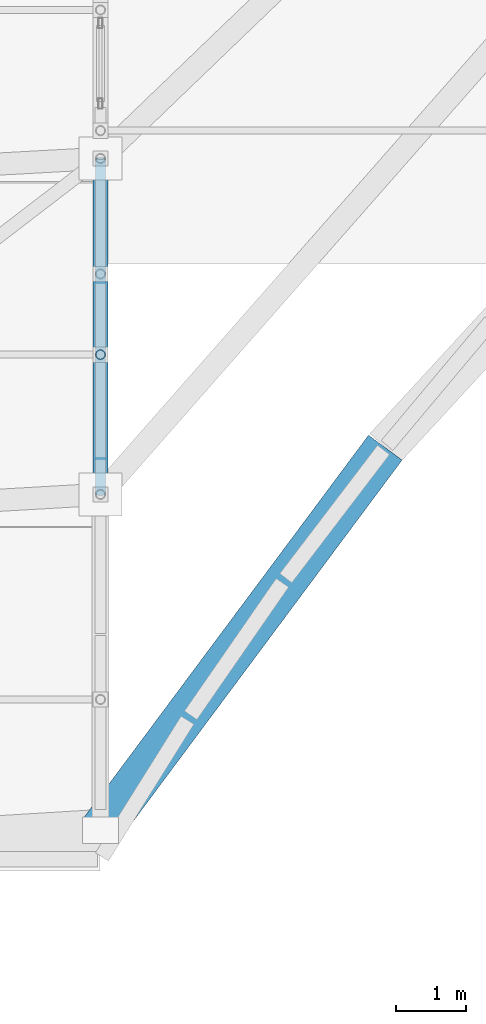
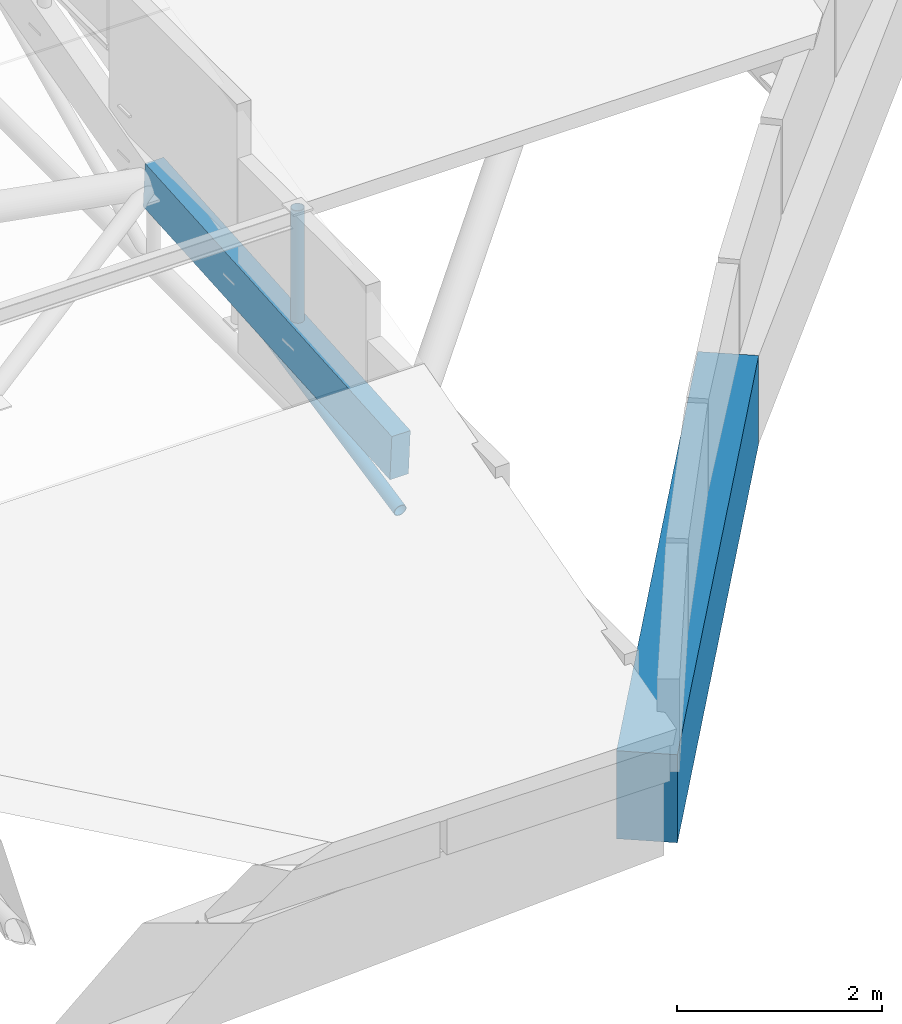
# One storey, part 73 of 188: 3 members, 1 beam.
"""IFC4 building model written with IfcOpenShell, lengths in metres."""

from ifc_helpers import new_model, si_unit, direction, frame, origin, origin_2d, place, context, subcontext, project, spatial, rectangle, hollow_circle, extrude, material, material_profile, profile_set, type_object, element, save


model = new_model("IFC4")

# Units and contexts
model_context = context("Model", 3, precision=1e-05, world=origin(), true_north=direction((0.0, 1.0)))
body_context = subcontext(model_context, "Body", "Model", "MODEL_VIEW")
ifc_project = project(units=[si_unit("LENGTHUNIT", "METRE"), si_unit("AREAUNIT", "SQUARE_METRE"), si_unit("VOLUMEUNIT", "CUBIC_METRE"), si_unit("PLANEANGLEUNIT", "RADIAN"), si_unit("MASSUNIT", "GRAM", prefix="KILO")], contexts=[model_context])

# Site, building, storey
site_placement = place(None, origin())
site = spatial("IfcSite", under=ifc_project, at=site_placement, CompositionType="ELEMENT")
building_placement = place(site_placement, origin())
building = spatial("IfcBuilding", under=site, at=building_placement, Name="Kisaragi Civic Commons", CompositionType="ELEMENT")
storey_placement = place(building_placement, frame((0.0, 0.0, 9.60009765625)))
storey = spatial("IfcBuildingStorey", under=building, at=storey_placement, Name="L02", CompositionType="ELEMENT", Elevation=9.60009765625)

# Beam
ifc_material_1 = material(Name="Concrete Fc36", Category="concrete")
ifc_material_profile_1 = material_profile(ifc_material_1, rectangle(XDim=0.60009765625, YDim=1.050048828125, at=origin_2d()), Name="RC-600x1050", Category="concrete")
ifc_profile_set_1 = profile_set([ifc_material_profile_1], Name="Concrete Fc36")
beam_type = type_object("IfcBeamType", Name="G-06", PredefinedType="BEAM", material=ifc_profile_set_1)
beam_placement = place(storey_placement, frame((31.2880859375, 85.107421875, -0.84521484375), z_axis=(-0.597046523223, -0.802206612481, 0.0), x_axis=(0.802206612481, -0.597046523223, 0.0)))
element("IfcBeam", 1, at=beam_placement, inside=storey, type_object=beam_type, Name="L02 curved spandrel/ring girder G-06 276", PredefinedType="BEAM", context=body_context, shape_type="SweptSolid", body=[
    extrude(rectangle(XDim=0.60009765625, YDim=1.050048828125, at=origin_2d()), origin(), (0.0, 0.0, 1.0), 6.84716796875),
])

# Members
ifc_material_2 = material(Name="Glulam E120-F330", Category="wood")
ifc_material_profile_2 = material_profile(ifc_material_2, rectangle(XDim=0.2099609375, YDim=0.5400390625, at=origin_2d()), Name="GL-210x540", Category="wood")
ifc_profile_set_2 = profile_set([ifc_material_profile_2], Name="Glulam E120-F330")
member_type_1 = type_object("IfcMemberType", Name="GR-04", PredefinedType="RAFTER", material=ifc_profile_set_2)
member_1_placement = place(storey_placement, frame((27.199951171875, 84.436279296875, 0.30419921875), z_axis=(0.0, 0.997571266223, 0.069653203854), x_axis=(-1.0, 0.0, 0.0)))
element("IfcMember", 2, at=member_1_placement, inside=storey, type_object=member_type_1, Name="V2 glulam arch rib GR-04 34", PredefinedType="RAFTER", context=body_context, shape_type="SweptSolid", body=[
    extrude(rectangle(XDim=0.2099609375, YDim=0.5400390625, at=origin_2d()), origin(), (0.0, 0.0, 1.0), 4.83349609375),
])
ifc_material_3 = material(Name="Steel SN490 (SN490B)", Category="steel")
ifc_material_profile_3 = material_profile(ifc_material_3, hollow_circle(Radius=0.06982421875, WallThickness=0.006103515625, at=origin_2d()), Name="CHS-139.8x6.0", Category="steel")
ifc_profile_set_3 = profile_set([ifc_material_profile_3], Name="Steel SN490 (SN490B)")
member_type_2 = type_object("IfcMemberType", Name="ST-H1", PredefinedType="STRUT", material=ifc_profile_set_3)
member_2_placement = place(storey_placement, frame((27.199951171875, 84.436279296875, -0.353271484375), z_axis=(0.0, 0.979399965434, 0.20192995743), x_axis=(-1.0, 0.0, 0.0)))
element("IfcMember", 3, at=member_2_placement, inside=storey, type_object=member_type_2, Name="V2 tied arch truss diagonal web strut 66", PredefinedType="STRUT", context=body_context, shape_type="SweptSolid", body=[
    extrude(hollow_circle(Radius=0.06982421875, WallThickness=0.006103515625, at=origin_2d()), origin(), (0.0, 0.0, 1.0), 4.923095703125),
])
member_3_placement = place(storey_placement, frame((27.199951171875, 86.44189453125, 0.444091796875), z_axis=(0.0, 0.0, 1.0), x_axis=(1.0, 0.0, 0.0)))
element("IfcMember", 4, at=member_3_placement, inside=storey, type_object=member_type_2, Name="V2 clerestory monitor horizontal tie strut 4.4.2", PredefinedType="STRUT", context=body_context, shape_type="SweptSolid", body=[
    extrude(hollow_circle(Radius=0.06982421875, WallThickness=0.006103515625, at=origin_2d()), origin(), (0.0, 0.0, 1.0), 1.604248046875),
])

save(model, "model.ifc")
